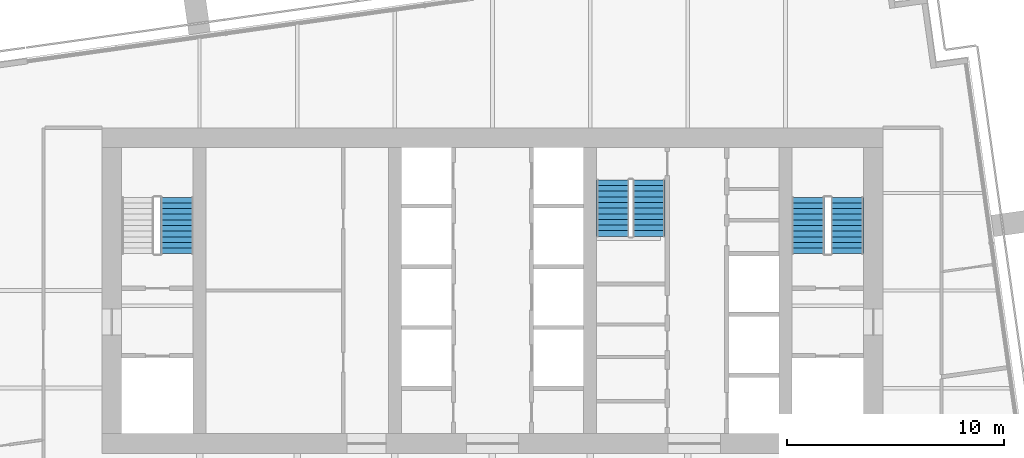
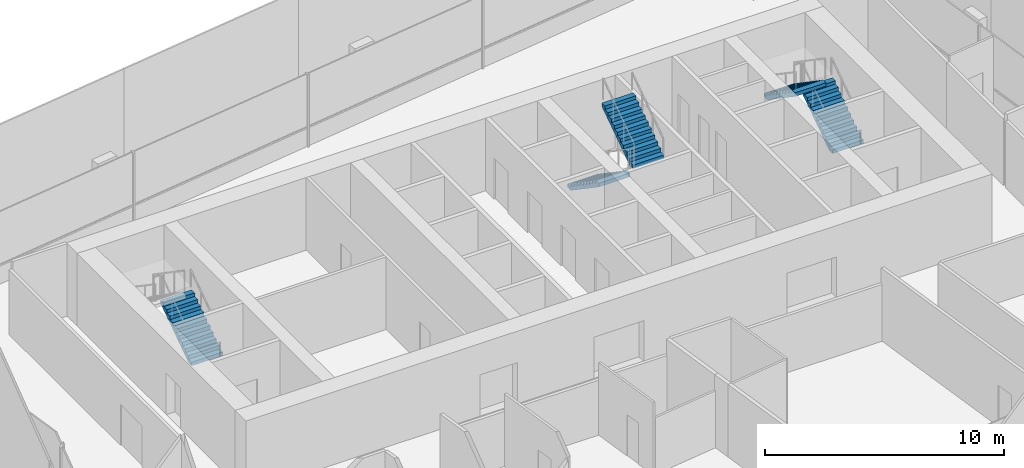
# One storey, part 11 of 15: 5 stair flights, 3 elements without a shape of their own.
"""IFC4 building model written with IfcOpenShell, lengths in metres."""

from ifc_helpers import new_model, si_unit, direction, frame, origin, place, context, subcontext, project, spatial, polyline, outline, extrude, material, type_object, element, aggregate, save


model = new_model("IFC4")

# Units and contexts
model_context = context("Model", 3, precision=1e-05, world=origin(), true_north=direction((0.0, 1.0)))
body_context = subcontext(model_context, "Body", "Model", "MODEL_VIEW")
ifc_project = project(units=[si_unit("LENGTHUNIT", "METRE"), si_unit("AREAUNIT", "SQUARE_METRE"), si_unit("VOLUMEUNIT", "CUBIC_METRE"), si_unit("PLANEANGLEUNIT", "RADIAN"), si_unit("MASSUNIT", "GRAM", prefix="KILO")], contexts=[model_context])

# Site, building, storey
site_placement = place(None, origin())
site = spatial("IfcSite", under=ifc_project, at=site_placement, CompositionType="ELEMENT")
building_placement = place(site_placement, origin())
building = spatial("IfcBuilding", under=site, at=building_placement, Name="Rattan Terrace Tower", CompositionType="ELEMENT")
storey_placement = place(building_placement, frame((0.0, 0.0, 266.800048828125)))
storey = spatial("IfcBuildingStorey", under=building, at=storey_placement, Name="L61", CompositionType="ELEMENT", Elevation=266.800048828125)

# Stair, stair flight
ifc_material_1 = material(Name="Concrete C40/50", Category="concrete")
stair_type = type_object("IfcStairType", Name="Core exit stair 1500", PredefinedType="HALF_TURN_STAIR", material=ifc_material_1)
stair_1_placement = place(storey_placement, origin())
stair_1 = element("IfcStair", 1, at=stair_1_placement, inside=storey, type_object=stair_type, Name="L61 exit stair 1", PredefinedType="HALF_TURN_STAIR")
ifc_material_2 = material(Name="Concrete C40/50", Category="concrete")
stair_flight_type = type_object("IfcStairFlightType", Name="Core exit stair flight 1500", PredefinedType="STRAIGHT", material=ifc_material_2)
stair_flight_1_placement = place(storey_placement, frame((-14.550048828125, 1.699951171875, 0.0), z_axis=(0.0, 0.0, 1.0), x_axis=(0.0, 1.0, 0.0)))
stair_flight_1 = element("IfcStairFlight", 2, at=stair_flight_1_placement, type_object=stair_flight_type, Name="S1 flight 1", NumberOfRisers=11, NumberOfTreads=10, PredefinedType="STRAIGHT", RiserHeight=0.177272727, TreadLength=0.26, context=body_context, shape_type="SweptSolid", body=[
    extrude(outline(polyline([(0.0, 0.0), (0.0, 0.17724609375), (0.260009765625, 0.17724609375), (0.260009765625, 0.3544921875), (0.52001953125, 0.3544921875), (0.52001953125, 0.53173828125), (0.780029296875, 0.53173828125), (0.780029296875, 0.708984375), (1.0400390625, 0.708984375), (1.0400390625, 0.886474609375), (1.300048828125, 0.886474609375), (1.300048828125, 1.063720703125), (1.56005859375, 1.063720703125), (1.56005859375, 1.240966796875), (1.820068359375, 1.240966796875), (1.820068359375, 1.418212890625), (2.080078125, 1.418212890625), (2.080078125, 1.595458984375), (2.340087890625, 1.595458984375), (2.340087890625, 1.772705078125), (2.60009765625, 1.772705078125), (2.60009765625, 1.949951171875), (2.60009765625, 1.59130859375), (0.26611328125, 0.0), (0.0, 0.0)])), frame((0.0, 0.75, 0.0), z_axis=(0.0, -1.0, 0.0), x_axis=(1.0, 0.0, 0.0)), (0.0, 0.0, 1.0), 1.5),
])
aggregate(stair_1, [stair_flight_1])

# Stair, stair flights
stair_2_placement = place(storey_placement, origin())
stair_2 = element("IfcStair", 3, at=stair_2_placement, inside=storey, type_object=stair_type, Name="L61 exit stair 2", PredefinedType="HALF_TURN_STAIR")
stair_flight_2_placement = place(storey_placement, frame((16.35009765625, 1.699951171875, 0.0), z_axis=(0.0, 0.0, 1.0), x_axis=(0.0, 1.0, 0.0)))
stair_flight_2 = element("IfcStairFlight", 4, at=stair_flight_2_placement, type_object=stair_flight_type, Name="S2 flight 1", NumberOfRisers=11, NumberOfTreads=10, PredefinedType="STRAIGHT", RiserHeight=0.177272727, TreadLength=0.26, context=body_context, shape_type="SweptSolid", body=[
    extrude(outline(polyline([(0.0, 0.0), (0.0, 0.17724609375), (0.260009765625, 0.17724609375), (0.260009765625, 0.3544921875), (0.52001953125, 0.3544921875), (0.52001953125, 0.53173828125), (0.780029296875, 0.53173828125), (0.780029296875, 0.708984375), (1.0400390625, 0.708984375), (1.0400390625, 0.886474609375), (1.300048828125, 0.886474609375), (1.300048828125, 1.063720703125), (1.56005859375, 1.063720703125), (1.56005859375, 1.240966796875), (1.820068359375, 1.240966796875), (1.820068359375, 1.418212890625), (2.080078125, 1.418212890625), (2.080078125, 1.595458984375), (2.340087890625, 1.595458984375), (2.340087890625, 1.772705078125), (2.60009765625, 1.772705078125), (2.60009765625, 1.949951171875), (2.60009765625, 1.59130859375), (0.26611328125, 0.0), (0.0, 0.0)])), frame((0.0, 0.75, 0.0), z_axis=(0.0, -1.0, 0.0), x_axis=(1.0, 0.0, 0.0)), (0.0, 0.0, 1.0), 1.5),
])
stair_flight_3_placement = place(storey_placement, frame((14.550048828125, 4.300048828125, 1.949951171875), z_axis=(0.0, 0.0, 1.0), x_axis=(0.0, -1.0, 0.0)))
stair_flight_3 = element("IfcStairFlight", 5, at=stair_flight_3_placement, type_object=stair_flight_type, Name="S2 flight 2", NumberOfRisers=11, NumberOfTreads=10, PredefinedType="STRAIGHT", RiserHeight=0.177272727, TreadLength=0.26, context=body_context, shape_type="SweptSolid", body=[
    extrude(outline(polyline([(0.0, 0.0), (0.0, 0.17724609375), (0.260009765625, 0.17724609375), (0.260009765625, 0.3544921875), (0.52001953125, 0.3544921875), (0.52001953125, 0.53173828125), (0.780029296875, 0.53173828125), (0.780029296875, 0.708984375), (1.0400390625, 0.708984375), (1.0400390625, 0.886474609375), (1.300048828125, 0.886474609375), (1.300048828125, 1.063720703125), (1.56005859375, 1.063720703125), (1.56005859375, 1.240966796875), (1.820068359375, 1.240966796875), (1.820068359375, 1.418212890625), (2.080078125, 1.418212890625), (2.080078125, 1.595458984375), (2.340087890625, 1.595458984375), (2.340087890625, 1.772705078125), (2.60009765625, 1.772705078125), (2.60009765625, 1.949951171875), (2.60009765625, 1.59130859375), (0.26611328125, 0.0), (0.0, 0.0)])), frame((0.0, 0.75, 0.0), z_axis=(0.0, -1.0, 0.0), x_axis=(1.0, 0.0, 0.0)), (0.0, 0.0, 1.0), 1.5),
])
aggregate(stair_2, [stair_flight_2, stair_flight_3])

stair_3_placement = place(storey_placement, origin())
stair_3 = element("IfcStair", 6, at=stair_3_placement, inside=storey, type_object=stair_type, Name="L61 exit stair 3", PredefinedType="HALF_TURN_STAIR")
stair_flight_4_placement = place(storey_placement, frame((5.550048828125, 5.10009765625, 0.0), z_axis=(0.0, 0.0, 1.0), x_axis=(0.0, -1.0, 0.0)))
stair_flight_4 = element("IfcStairFlight", 7, at=stair_flight_4_placement, type_object=stair_flight_type, Name="S3 flight 1", NumberOfRisers=11, NumberOfTreads=10, PredefinedType="STRAIGHT", RiserHeight=0.177272727, TreadLength=0.26, context=body_context, shape_type="SweptSolid", body=[
    extrude(outline(polyline([(0.0, 0.0), (0.0, 0.17724609375), (0.260009765625, 0.17724609375), (0.260009765625, 0.3544921875), (0.52001953125, 0.3544921875), (0.52001953125, 0.53173828125), (0.780029296875, 0.53173828125), (0.780029296875, 0.708984375), (1.0400390625, 0.708984375), (1.0400390625, 0.886474609375), (1.300048828125, 0.886474609375), (1.300048828125, 1.063720703125), (1.56005859375, 1.063720703125), (1.56005859375, 1.240966796875), (1.820068359375, 1.240966796875), (1.820068359375, 1.418212890625), (2.080078125, 1.418212890625), (2.080078125, 1.595458984375), (2.340087890625, 1.595458984375), (2.340087890625, 1.772705078125), (2.60009765625, 1.772705078125), (2.60009765625, 1.949951171875), (2.60009765625, 1.59130859375), (0.26611328125, 0.0), (0.0, 0.0)])), frame((0.0, 0.75, 0.0), z_axis=(0.0, -1.0, 0.0), x_axis=(1.0, 0.0, 0.0)), (0.0, 0.0, 1.0), 1.5),
])
stair_flight_5_placement = place(storey_placement, frame((7.199951171875, 2.5, 1.949951171875), z_axis=(0.0, 0.0, 1.0), x_axis=(0.0, 1.0, 0.0)))
stair_flight_5 = element("IfcStairFlight", 8, at=stair_flight_5_placement, type_object=stair_flight_type, Name="S3 flight 2", NumberOfRisers=11, NumberOfTreads=10, PredefinedType="STRAIGHT", RiserHeight=0.177272727, TreadLength=0.26, context=body_context, shape_type="SweptSolid", body=[
    extrude(outline(polyline([(0.0, 0.0), (0.0, 0.17724609375), (0.260009765625, 0.17724609375), (0.260009765625, 0.3544921875), (0.52001953125, 0.3544921875), (0.52001953125, 0.53173828125), (0.780029296875, 0.53173828125), (0.780029296875, 0.708984375), (1.0400390625, 0.708984375), (1.0400390625, 0.886474609375), (1.300048828125, 0.886474609375), (1.300048828125, 1.063720703125), (1.56005859375, 1.063720703125), (1.56005859375, 1.240966796875), (1.820068359375, 1.240966796875), (1.820068359375, 1.418212890625), (2.080078125, 1.418212890625), (2.080078125, 1.595458984375), (2.340087890625, 1.595458984375), (2.340087890625, 1.772705078125), (2.60009765625, 1.772705078125), (2.60009765625, 1.949951171875), (2.60009765625, 1.59130859375), (0.26611328125, 0.0), (0.0, 0.0)])), frame((0.0, 0.75, 0.0), z_axis=(0.0, -1.0, 0.0), x_axis=(1.0, 0.0, 0.0)), (0.0, 0.0, 1.0), 1.5),
])
aggregate(stair_3, [stair_flight_4, stair_flight_5])

save(model, "model.ifc")
